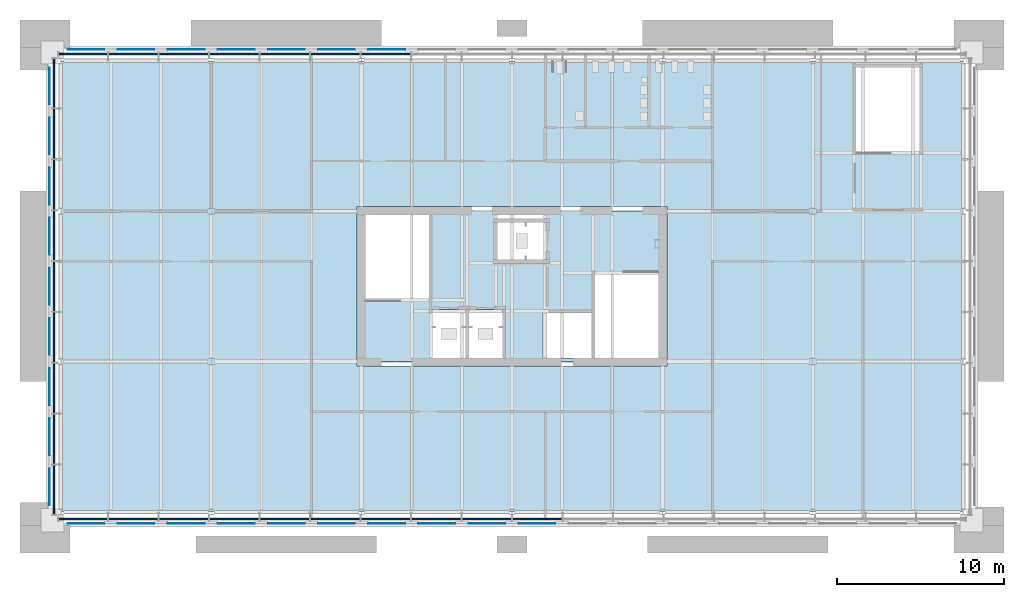
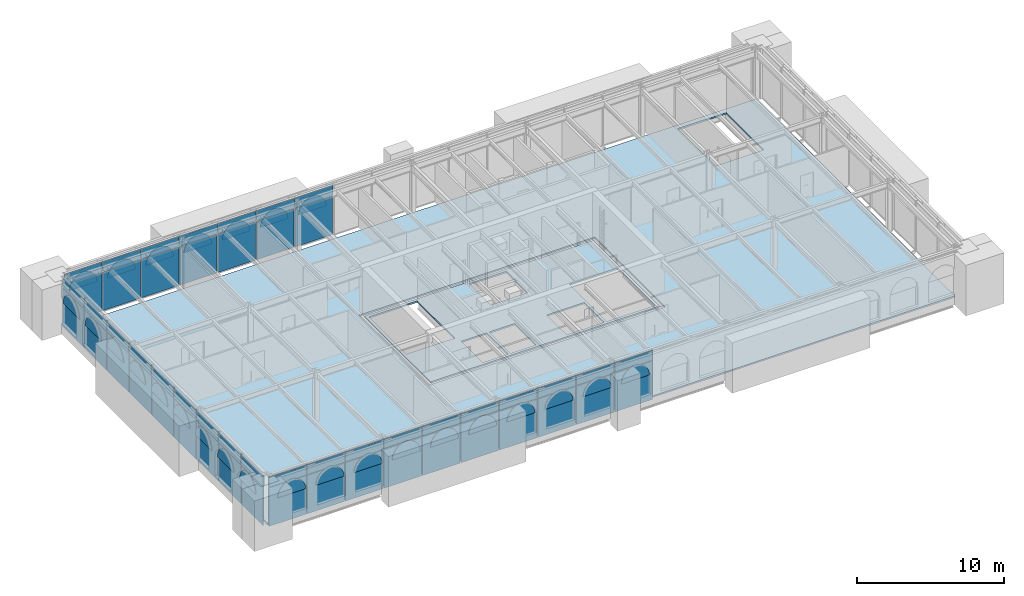
# One storey, part 10 of 24: 78 plates, 2 slabs, 3 elements without a shape of their own.
"""IFC4 building model written with IfcOpenShell, lengths in metres."""

from ifc_helpers import new_model, si_unit, direction, frame, origin, origin_2d, place, context, subcontext, project, spatial, polyline, rectangle, outline, extrude, material, layer, layer_set, type_object, element, aggregate, save


model = new_model("IFC4")

# Units and contexts
model_context = context("Model", 3, precision=1e-05, world=origin(), true_north=direction((0.0, 1.0)))
body_context = subcontext(model_context, "Body", "Model", "MODEL_VIEW")
ifc_project = project(units=[si_unit("LENGTHUNIT", "METRE"), si_unit("AREAUNIT", "SQUARE_METRE"), si_unit("VOLUMEUNIT", "CUBIC_METRE"), si_unit("PLANEANGLEUNIT", "RADIAN"), si_unit("MASSUNIT", "GRAM", prefix="KILO")], contexts=[model_context])

# Site, building, storey
site_placement = place(None, origin())
site = spatial("IfcSite", under=ifc_project, at=site_placement, CompositionType="ELEMENT")
building_placement = place(site_placement, origin())
building = spatial("IfcBuilding", under=site, at=building_placement, Name="Baradari Gate Terminus", CompositionType="ELEMENT")
storey_placement = place(building_placement, frame((0.0, 0.0, 32.699951171875)))
storey = spatial("IfcBuildingStorey", under=building, at=storey_placement, Name="L07", CompositionType="ELEMENT", Elevation=32.699951171875)

# Plates
ifc_material_1 = material(Name="Insulating glass unit", Category="glass")
ifc_layer_1 = layer(ifc_material_1, 0.0400390625)
ifc_layer_set_1 = layer_set([ifc_layer_1], Name="Insulating glass unit")
plate_type_1 = type_object("IfcPlateType", Name="Arch head glazing CP-AH 40", PredefinedType="SHEET", material=ifc_layer_set_1)
for number, where, z_axis, x_axis, name in (
    (1, (9.39990234375, 116.320068359375, 2.400146484375), (0.0, 0.0, 1.0), (1.0, 0.0, 0.0), "Arch head glazing CP-AH L07 S face 1"),
    (2, (12.39990234375, 116.320068359375, 2.400146484375), (0.0, 0.0, 1.0), (1.0, 0.0, 0.0), "Arch head glazing CP-AH L07 S face 2"),
    (3, (15.39990234375, 116.320068359375, 2.400146484375), (0.0, 0.0, 1.0), (1.0, 0.0, 0.0), "Arch head glazing CP-AH L07 S face 3"),
    (4, (18.39990234375, 116.320068359375, 2.400146484375), (0.0, 0.0, 1.0), (1.0, 0.0, 0.0), "Arch head glazing CP-AH L07 S face 4"),
    (5, (21.39990234375, 116.320068359375, 2.400146484375), (0.0, 0.0, 1.0), (1.0, 0.0, 0.0), "Arch head glazing CP-AH L07 S face 5"),
    (6, (24.39990234375, 116.320068359375, 2.400146484375), (0.0, 0.0, 1.0), (1.0, 0.0, 0.0), "Arch head glazing CP-AH L07 S face 6"),
    (7, (27.39990234375, 116.320068359375, 2.400146484375), (0.0, 0.0, 1.0), (1.0, 0.0, 0.0), "Arch head glazing CP-AH L07 S face 7"),
    (8, (30.39990234375, 116.320068359375, 2.400146484375), (0.0, 0.0, 1.0), (1.0, 0.0, 0.0), "Arch head glazing CP-AH L07 S face 8"),
    (9, (33.39990234375, 116.320068359375, 2.400146484375), (0.0, 0.0, 1.0), (1.0, 0.0, 0.0), "Arch head glazing CP-AH L07 S face 9"),
    (10, (36.39990234375, 116.320068359375, 2.400146484375), (0.0, 0.0, 1.0), (1.0, 0.0, 0.0), "Arch head glazing CP-AH L07 S face 10"),
    (11, (29.60009765625, 144.679931640625, 2.400146484375), (0.0, 0.0, 1.0), (-1.0, 0.0, 0.0), "Arch head glazing CP-AH L07 N face 12"),
    (12, (26.60009765625, 144.679931640625, 2.400146484375), (0.0, 0.0, 1.0), (-1.0, 0.0, 0.0), "Arch head glazing CP-AH L07 N face 13"),
    (13, (23.60009765625, 144.679931640625, 2.400146484375), (0.0, 0.0, 1.0), (-1.0, 0.0, 0.0), "Arch head glazing CP-AH L07 N face 14"),
    (14, (20.60009765625, 144.679931640625, 2.400146484375), (0.0, 0.0, 1.0), (-1.0, 0.0, 0.0), "Arch head glazing CP-AH L07 N face 15"),
    (15, (17.60009765625, 144.679931640625, 2.400146484375), (0.0, 0.0, 1.0), (-1.0, 0.0, 0.0), "Arch head glazing CP-AH L07 N face 16"),
    (16, (14.60009765625, 144.679931640625, 2.400146484375), (0.0, 0.0, 1.0), (-1.0, 0.0, 0.0), "Arch head glazing CP-AH L07 N face 17"),
    (17, (11.60009765625, 144.679931640625, 2.400146484375), (0.0, 0.0, 1.0), (-1.0, 0.0, 0.0), "Arch head glazing CP-AH L07 N face 18"),
    (18, (8.320068359375, 143.60009765625, 2.400146484375), (0.0, 0.0, 1.0), (0.0, -1.0, 0.0), "Arch head glazing CP-AH L07 W face 1"),
    (19, (8.320068359375, 140.60009765625, 2.400146484375), (0.0, 0.0, 1.0), (0.0, -1.0, 0.0), "Arch head glazing CP-AH L07 W face 2"),
    (20, (8.320068359375, 137.60009765625, 2.400146484375), (0.0, 0.0, 1.0), (0.0, -1.0, 0.0), "Arch head glazing CP-AH L07 W face 3"),
    (21, (8.320068359375, 134.60009765625, 2.400146484375), (0.0, 0.0, 1.0), (0.0, -1.0, 0.0), "Arch head glazing CP-AH L07 W face 4"),
    (22, (8.320068359375, 131.60009765625, 2.400146484375), (0.0, 0.0, 1.0), (0.0, -1.0, 0.0), "Arch head glazing CP-AH L07 W face 5"),
    (23, (8.320068359375, 128.60009765625, 2.400146484375), (0.0, 0.0, 1.0), (0.0, -1.0, 0.0), "Arch head glazing CP-AH L07 W face 6"),
    (24, (8.320068359375, 125.60009765625, 2.400146484375), (0.0, 0.0, 1.0), (0.0, -1.0, 0.0), "Arch head glazing CP-AH L07 W face 7"),
    (25, (8.320068359375, 122.60009765625, 2.400146484375), (0.0, 0.0, 1.0), (0.0, -1.0, 0.0), "Arch head glazing CP-AH L07 W face 8"),
    (26, (8.320068359375, 119.60009765625, 2.400146484375), (0.0, 0.0, 1.0), (0.0, -1.0, 0.0), "Arch head glazing CP-AH L07 W face 9"),
):
    element("IfcPlate", number, at=place(storey_placement, frame(where, z_axis=z_axis, x_axis=x_axis)), inside=storey, type_object=plate_type_1, Name=name, PredefinedType="SHEET", context=body_context, shape_type="SweptSolid", body=[
        extrude(outline(polyline([(0.0, 0.0), (2.199951171875, 0.0), (2.19091796875, 0.1484375), (2.163330078125, 0.294677734375), (2.1181640625, 0.4365234375), (2.0556640625, 0.57177734375), (1.97705078125, 0.697998046875), (1.88330078125, 0.81396484375), (1.776123046875, 0.917236328125), (1.6572265625, 1.00634765625), (1.52783203125, 1.080322265625), (1.390625, 1.1376953125), (1.247314453125, 1.177734375), (1.10009765625, 1.199951171875), (0.952880859375, 1.177734375), (0.809326171875, 1.1376953125), (0.672119140625, 1.080322265625), (0.54296875, 1.00634765625), (0.423828125, 0.917236328125), (0.316650390625, 0.81396484375), (0.222900390625, 0.697998046875), (0.144287109375, 0.57177734375), (0.08203125, 0.4365234375), (0.03662109375, 0.294677734375), (0.00927734375, 0.1484375), (0.0, 0.0)])), frame((0.0, 0.02001953125, 0.0), z_axis=(0.0, -1.0, 0.0), x_axis=(1.0, 0.0, 0.0)), (0.0, 0.0, 1.0), 0.0400390625),
    ])

# Slabs
ifc_material_2 = material(Name="Concrete C35/45", Category="concrete")
ifc_layer_2 = layer(ifc_material_2, 0.1298828125)
ifc_layer_set_2 = layer_set([ifc_layer_2], Name="Concrete C35/45")
slab_type = type_object("IfcSlabType", Name="Composite floor slab SL1 130", PredefinedType="FLOOR", material=ifc_layer_set_2)
slab_1_placement = place(storey_placement, frame((0.0, 0.0, -0.1298828125)))
element("IfcSlab", 27, at=slab_1_placement, inside=storey, type_object=slab_type, Name="Block floor", PredefinedType="FLOOR", context=body_context, shape_type="SweptSolid", body=[
    extrude(outline(polyline([(63.0, 117.0), (63.0, 144.0), (9.0, 144.0), (9.0, 117.0), (63.0, 117.0)]), holes=[polyline([(56.60009765625, 138.5), (60.39990234375, 138.5), (60.39990234375, 143.60009765625), (56.60009765625, 143.60009765625), (56.60009765625, 138.5)]), polyline([(26.72509765625, 125.72509765625), (45.27490234375, 125.72509765625), (45.27490234375, 126.22509765625), (45.27490234375, 134.77490234375), (45.27490234375, 135.27490234375), (26.72509765625, 135.27490234375), (26.72509765625, 134.77490234375), (26.72509765625, 126.22509765625), (26.72509765625, 125.72509765625)])]), origin(), (0.0, 0.0, 1.0), 0.1298828125),
])
slab_2_placement = place(storey_placement, frame((0.0, 0.0, -0.1298828125)))
element("IfcSlab", 28, at=slab_2_placement, inside=storey, type_object=slab_type, Name="Core floor CT", PredefinedType="FLOOR", context=body_context, shape_type="SweptSolid", body=[
    extrude(outline(polyline([(27.0, 135.0), (27.0, 126.0), (45.0, 126.0), (45.0, 135.0), (27.0, 135.0)]), holes=[polyline([(40.97509765625, 131.324951171875), (40.97509765625, 126.22509765625), (44.77490234375, 126.22509765625), (44.77490234375, 131.324951171875), (40.97509765625, 131.324951171875)]), polyline([(40.77490234375, 128.925048828125), (37.824951171875, 128.925048828125), (37.824951171875, 126.22509765625), (40.77490234375, 126.22509765625), (40.77490234375, 128.925048828125)]), polyline([(38.02490234375, 131.875), (38.02490234375, 134.77490234375), (35.125, 134.77490234375), (35.125, 131.875), (38.02490234375, 131.875)]), polyline([(35.425048828125, 129.125), (33.425048828125, 129.125), (33.425048828125, 126.22509765625), (35.425048828125, 126.22509765625), (35.425048828125, 129.125)]), polyline([(31.22509765625, 129.125), (31.22509765625, 126.22509765625), (33.22509765625, 126.22509765625), (33.22509765625, 129.125), (31.22509765625, 129.125)]), polyline([(27.22509765625, 129.675048828125), (31.02490234375, 129.675048828125), (31.02490234375, 134.77490234375), (27.22509765625, 134.77490234375), (27.22509765625, 129.675048828125)])]), origin(), (0.0, 0.0, 1.0), 0.1298828125),
])

# Curtain wall, plates
ifc_material_3 = material(Name="Aluminium 6063-T6", Category="aluminium")
curtain_wall_type = type_object("IfcCurtainWallType", Name="Curtain wall CW-12 block arcade floors, L06-L07", PredefinedType="NOTDEFINED", material=ifc_material_3)
curtain_wall_1_placement = place(storey_placement, origin())
curtain_wall_1 = element("IfcCurtainWall", 29, at=curtain_wall_1_placement, inside=storey, type_object=curtain_wall_type, Name="Curtain wall CW-12 Operations block S face L07", PredefinedType="NOTDEFINED")
ifc_material_4 = material(Name="Insulating glass unit", Category="glass")
ifc_layer_3 = layer(ifc_material_4, 0.06005859375)
ifc_layer_set_3 = layer_set([ifc_layer_3], Name="Insulating glass unit")
plate_type_2 = type_object("IfcPlateType", Name="Curtain wall glazing unit CP-12 60", PredefinedType="CURTAIN_PANEL", material=ifc_layer_set_3)
plate_1_placement = place(storey_placement, frame((10.327392578125, 116.592529296875, 0.06494140625), z_axis=(0.0, 0.0, 1.0), x_axis=(1.0, 0.0, 0.0)))
plate_1 = element("IfcPlate", 30, at=plate_1_placement, type_object=plate_type_2, Name="CW-12 panel 1.1", PredefinedType="CURTAIN_PANEL", context=body_context, shape_type="SweptSolid", body=[
    extrude(rectangle(XDim=2.9248046875, YDim=0.06005859375, at=origin_2d()), origin(), (0.0, 0.0, 1.0), 3.202392578125),
])
plate_2_placement = place(storey_placement, frame((13.333251953125, 116.592529296875, 0.06494140625), z_axis=(0.0, 0.0, 1.0), x_axis=(1.0, 0.0, 0.0)))
plate_2 = element("IfcPlate", 31, at=plate_2_placement, type_object=plate_type_2, Name="CW-12 panel 2.1", PredefinedType="CURTAIN_PANEL", context=body_context, shape_type="SweptSolid", body=[
    extrude(rectangle(XDim=2.957275390625, YDim=0.06005859375, at=origin_2d()), origin(), (0.0, 0.0, 1.0), 3.202392578125),
])
plate_3_placement = place(storey_placement, frame((16.35546875, 116.592529296875, 0.06494140625), z_axis=(0.0, 0.0, 1.0), x_axis=(1.0, 0.0, 0.0)))
plate_3 = element("IfcPlate", 32, at=plate_3_placement, type_object=plate_type_2, Name="CW-12 panel 3.1", PredefinedType="CURTAIN_PANEL", context=body_context, shape_type="SweptSolid", body=[
    extrude(rectangle(XDim=2.957275390625, YDim=0.06005859375, at=origin_2d()), origin(), (0.0, 0.0, 1.0), 3.202392578125),
])
plate_4_placement = place(storey_placement, frame((19.377685546875, 116.592529296875, 0.06494140625), z_axis=(0.0, 0.0, 1.0), x_axis=(1.0, 0.0, 0.0)))
plate_4 = element("IfcPlate", 33, at=plate_4_placement, type_object=plate_type_2, Name="CW-12 panel 4.1", PredefinedType="CURTAIN_PANEL", context=body_context, shape_type="SweptSolid", body=[
    extrude(rectangle(XDim=2.957275390625, YDim=0.06005859375, at=origin_2d()), origin(), (0.0, 0.0, 1.0), 3.202392578125),
])
plate_5_placement = place(storey_placement, frame((22.39990234375, 116.592529296875, 0.06494140625), z_axis=(0.0, 0.0, 1.0), x_axis=(1.0, 0.0, 0.0)))
plate_5 = element("IfcPlate", 34, at=plate_5_placement, type_object=plate_type_2, Name="CW-12 panel 5.1", PredefinedType="CURTAIN_PANEL", context=body_context, shape_type="SweptSolid", body=[
    extrude(rectangle(XDim=2.957275390625, YDim=0.06005859375, at=origin_2d()), origin(), (0.0, 0.0, 1.0), 3.202392578125),
])
plate_6_placement = place(storey_placement, frame((25.422119140625, 116.592529296875, 0.06494140625), z_axis=(0.0, 0.0, 1.0), x_axis=(1.0, 0.0, 0.0)))
plate_6 = element("IfcPlate", 35, at=plate_6_placement, type_object=plate_type_2, Name="CW-12 panel 6.1", PredefinedType="CURTAIN_PANEL", context=body_context, shape_type="SweptSolid", body=[
    extrude(rectangle(XDim=2.957275390625, YDim=0.06005859375, at=origin_2d()), origin(), (0.0, 0.0, 1.0), 3.202392578125),
])
plate_7_placement = place(storey_placement, frame((28.4443359375, 116.592529296875, 0.06494140625), z_axis=(0.0, 0.0, 1.0), x_axis=(1.0, 0.0, 0.0)))
plate_7 = element("IfcPlate", 36, at=plate_7_placement, type_object=plate_type_2, Name="CW-12 panel 7.1", PredefinedType="CURTAIN_PANEL", context=body_context, shape_type="SweptSolid", body=[
    extrude(rectangle(XDim=2.957275390625, YDim=0.06005859375, at=origin_2d()), origin(), (0.0, 0.0, 1.0), 3.202392578125),
])
plate_8_placement = place(storey_placement, frame((31.466552734375, 116.592529296875, 0.06494140625), z_axis=(0.0, 0.0, 1.0), x_axis=(1.0, 0.0, 0.0)))
plate_8 = element("IfcPlate", 37, at=plate_8_placement, type_object=plate_type_2, Name="CW-12 panel 8.1", PredefinedType="CURTAIN_PANEL", context=body_context, shape_type="SweptSolid", body=[
    extrude(rectangle(XDim=2.957275390625, YDim=0.06005859375, at=origin_2d()), origin(), (0.0, 0.0, 1.0), 3.202392578125),
])
plate_9_placement = place(storey_placement, frame((34.48876953125, 116.592529296875, 0.06494140625), z_axis=(0.0, 0.0, 1.0), x_axis=(1.0, 0.0, 0.0)))
plate_9 = element("IfcPlate", 38, at=plate_9_placement, type_object=plate_type_2, Name="CW-12 panel 9.1", PredefinedType="CURTAIN_PANEL", context=body_context, shape_type="SweptSolid", body=[
    extrude(rectangle(XDim=2.957275390625, YDim=0.06005859375, at=origin_2d()), origin(), (0.0, 0.0, 1.0), 3.202392578125),
])
plate_10_placement = place(storey_placement, frame((37.51123046875, 116.592529296875, 0.06494140625), z_axis=(0.0, 0.0, 1.0), x_axis=(1.0, 0.0, 0.0)))
plate_10 = element("IfcPlate", 39, at=plate_10_placement, type_object=plate_type_2, Name="CW-12 panel 10.1", PredefinedType="CURTAIN_PANEL", context=body_context, shape_type="SweptSolid", body=[
    extrude(rectangle(XDim=2.957275390625, YDim=0.06005859375, at=origin_2d()), origin(), (0.0, 0.0, 1.0), 3.202392578125),
])

curtain_wall_2_placement = place(storey_placement, origin())
curtain_wall_2 = element("IfcCurtainWall", 40, at=curtain_wall_2_placement, inside=storey, type_object=curtain_wall_type, Name="Curtain wall CW-12 Operations block N face L07", PredefinedType="NOTDEFINED")
plate_11_placement = place(storey_placement, frame((28.4443359375, 144.407470703125, 0.06494140625), z_axis=(0.0, 0.0, 1.0), x_axis=(-1.0, 0.0, 0.0)))
plate_11 = element("IfcPlate", 41, at=plate_11_placement, type_object=plate_type_2, Name="CW-12 panel 12.1", PredefinedType="CURTAIN_PANEL", context=body_context, shape_type="SweptSolid", body=[
    extrude(rectangle(XDim=2.957275390625, YDim=0.06005859375, at=origin_2d()), origin(), (0.0, 0.0, 1.0), 3.202392578125),
])
plate_12_placement = place(storey_placement, frame((25.422119140625, 144.407470703125, 0.06494140625), z_axis=(0.0, 0.0, 1.0), x_axis=(-1.0, 0.0, 0.0)))
plate_12 = element("IfcPlate", 42, at=plate_12_placement, type_object=plate_type_2, Name="CW-12 panel 13.1", PredefinedType="CURTAIN_PANEL", context=body_context, shape_type="SweptSolid", body=[
    extrude(rectangle(XDim=2.957275390625, YDim=0.06005859375, at=origin_2d()), origin(), (0.0, 0.0, 1.0), 3.202392578125),
])
plate_13_placement = place(storey_placement, frame((22.39990234375, 144.407470703125, 0.06494140625), z_axis=(0.0, 0.0, 1.0), x_axis=(-1.0, 0.0, 0.0)))
plate_13 = element("IfcPlate", 43, at=plate_13_placement, type_object=plate_type_2, Name="CW-12 panel 14.1", PredefinedType="CURTAIN_PANEL", context=body_context, shape_type="SweptSolid", body=[
    extrude(rectangle(XDim=2.957275390625, YDim=0.06005859375, at=origin_2d()), origin(), (0.0, 0.0, 1.0), 3.202392578125),
])
plate_14_placement = place(storey_placement, frame((19.377685546875, 144.407470703125, 0.06494140625), z_axis=(0.0, 0.0, 1.0), x_axis=(-1.0, 0.0, 0.0)))
plate_14 = element("IfcPlate", 44, at=plate_14_placement, type_object=plate_type_2, Name="CW-12 panel 15.1", PredefinedType="CURTAIN_PANEL", context=body_context, shape_type="SweptSolid", body=[
    extrude(rectangle(XDim=2.957275390625, YDim=0.06005859375, at=origin_2d()), origin(), (0.0, 0.0, 1.0), 3.202392578125),
])
plate_15_placement = place(storey_placement, frame((16.35546875, 144.407470703125, 0.06494140625), z_axis=(0.0, 0.0, 1.0), x_axis=(-1.0, 0.0, 0.0)))
plate_15 = element("IfcPlate", 45, at=plate_15_placement, type_object=plate_type_2, Name="CW-12 panel 16.1", PredefinedType="CURTAIN_PANEL", context=body_context, shape_type="SweptSolid", body=[
    extrude(rectangle(XDim=2.957275390625, YDim=0.06005859375, at=origin_2d()), origin(), (0.0, 0.0, 1.0), 3.202392578125),
])
plate_16_placement = place(storey_placement, frame((13.333251953125, 144.407470703125, 0.06494140625), z_axis=(0.0, 0.0, 1.0), x_axis=(-1.0, 0.0, 0.0)))
plate_16 = element("IfcPlate", 46, at=plate_16_placement, type_object=plate_type_2, Name="CW-12 panel 17.1", PredefinedType="CURTAIN_PANEL", context=body_context, shape_type="SweptSolid", body=[
    extrude(rectangle(XDim=2.957275390625, YDim=0.06005859375, at=origin_2d()), origin(), (0.0, 0.0, 1.0), 3.202392578125),
])
plate_17_placement = place(storey_placement, frame((10.327392578125, 144.407470703125, 0.06494140625), z_axis=(0.0, 0.0, 1.0), x_axis=(-1.0, 0.0, 0.0)))
plate_17 = element("IfcPlate", 47, at=plate_17_placement, type_object=plate_type_2, Name="CW-12 panel 18.1", PredefinedType="CURTAIN_PANEL", context=body_context, shape_type="SweptSolid", body=[
    extrude(rectangle(XDim=2.9248046875, YDim=0.06005859375, at=origin_2d()), origin(), (0.0, 0.0, 1.0), 3.202392578125),
])

curtain_wall_3_placement = place(storey_placement, origin())
curtain_wall_3 = element("IfcCurtainWall", 48, at=curtain_wall_3_placement, inside=storey, type_object=curtain_wall_type, Name="Curtain wall CW-12 Operations block W face L07", PredefinedType="NOTDEFINED")
plate_18_placement = place(storey_placement, frame((8.592529296875, 142.66162109375, 0.06494140625), z_axis=(0.0, 0.0, 1.0), x_axis=(0.0, -1.0, 0.0)))
plate_18 = element("IfcPlate", 49, at=plate_18_placement, type_object=plate_type_2, Name="CW-12 panel 1.1", PredefinedType="CURTAIN_PANEL", context=body_context, shape_type="SweptSolid", body=[
    extrude(rectangle(XDim=2.947021484375, YDim=0.06005859375, at=origin_2d()), origin(), (0.0, 0.0, 1.0), 3.202392578125),
])
plate_19_placement = place(storey_placement, frame((8.592529296875, 139.63330078125, 0.06494140625), z_axis=(0.0, 0.0, 1.0), x_axis=(0.0, -1.0, 0.0)))
plate_19 = element("IfcPlate", 50, at=plate_19_placement, type_object=plate_type_2, Name="CW-12 panel 2.1", PredefinedType="CURTAIN_PANEL", context=body_context, shape_type="SweptSolid", body=[
    extrude(rectangle(XDim=2.9794921875, YDim=0.06005859375, at=origin_2d()), origin(), (0.0, 0.0, 1.0), 3.202392578125),
])
plate_20_placement = place(storey_placement, frame((8.592529296875, 136.5888671875, 0.06494140625), z_axis=(0.0, 0.0, 1.0), x_axis=(0.0, -1.0, 0.0)))
plate_20 = element("IfcPlate", 51, at=plate_20_placement, type_object=plate_type_2, Name="CW-12 panel 3.1", PredefinedType="CURTAIN_PANEL", context=body_context, shape_type="SweptSolid", body=[
    extrude(rectangle(XDim=2.9794921875, YDim=0.06005859375, at=origin_2d()), origin(), (0.0, 0.0, 1.0), 3.202392578125),
])
plate_21_placement = place(storey_placement, frame((8.592529296875, 133.54443359375, 0.06494140625), z_axis=(0.0, 0.0, 1.0), x_axis=(0.0, -1.0, 0.0)))
plate_21 = element("IfcPlate", 52, at=plate_21_placement, type_object=plate_type_2, Name="CW-12 panel 4.1", PredefinedType="CURTAIN_PANEL", context=body_context, shape_type="SweptSolid", body=[
    extrude(rectangle(XDim=2.9794921875, YDim=0.06005859375, at=origin_2d()), origin(), (0.0, 0.0, 1.0), 3.202392578125),
])
plate_22_placement = place(storey_placement, frame((8.592529296875, 130.5, 0.06494140625), z_axis=(0.0, 0.0, 1.0), x_axis=(0.0, -1.0, 0.0)))
plate_22 = element("IfcPlate", 53, at=plate_22_placement, type_object=plate_type_2, Name="CW-12 panel 5.1", PredefinedType="CURTAIN_PANEL", context=body_context, shape_type="SweptSolid", body=[
    extrude(rectangle(XDim=2.9794921875, YDim=0.06005859375, at=origin_2d()), origin(), (0.0, 0.0, 1.0), 3.202392578125),
])
plate_23_placement = place(storey_placement, frame((8.592529296875, 127.45556640625, 0.06494140625), z_axis=(0.0, 0.0, 1.0), x_axis=(0.0, -1.0, 0.0)))
plate_23 = element("IfcPlate", 54, at=plate_23_placement, type_object=plate_type_2, Name="CW-12 panel 6.1", PredefinedType="CURTAIN_PANEL", context=body_context, shape_type="SweptSolid", body=[
    extrude(rectangle(XDim=2.9794921875, YDim=0.06005859375, at=origin_2d()), origin(), (0.0, 0.0, 1.0), 3.202392578125),
])
plate_24_placement = place(storey_placement, frame((8.592529296875, 124.4111328125, 0.06494140625), z_axis=(0.0, 0.0, 1.0), x_axis=(0.0, -1.0, 0.0)))
plate_24 = element("IfcPlate", 55, at=plate_24_placement, type_object=plate_type_2, Name="CW-12 panel 7.1", PredefinedType="CURTAIN_PANEL", context=body_context, shape_type="SweptSolid", body=[
    extrude(rectangle(XDim=2.9794921875, YDim=0.06005859375, at=origin_2d()), origin(), (0.0, 0.0, 1.0), 3.202392578125),
])
plate_25_placement = place(storey_placement, frame((8.592529296875, 121.36669921875, 0.06494140625), z_axis=(0.0, 0.0, 1.0), x_axis=(0.0, -1.0, 0.0)))
plate_25 = element("IfcPlate", 56, at=plate_25_placement, type_object=plate_type_2, Name="CW-12 panel 8.1", PredefinedType="CURTAIN_PANEL", context=body_context, shape_type="SweptSolid", body=[
    extrude(rectangle(XDim=2.9794921875, YDim=0.06005859375, at=origin_2d()), origin(), (0.0, 0.0, 1.0), 3.202392578125),
])
plate_26_placement = place(storey_placement, frame((8.592529296875, 118.33837890625, 0.06494140625), z_axis=(0.0, 0.0, 1.0), x_axis=(0.0, -1.0, 0.0)))
plate_26 = element("IfcPlate", 57, at=plate_26_placement, type_object=plate_type_2, Name="CW-12 panel 9.1", PredefinedType="CURTAIN_PANEL", context=body_context, shape_type="SweptSolid", body=[
    extrude(rectangle(XDim=2.947021484375, YDim=0.06005859375, at=origin_2d()), origin(), (0.0, 0.0, 1.0), 3.202392578125),
])

# Plate
ifc_material_5 = material(Name="Back-painted glass", Category="glass")
ifc_layer_4 = layer(ifc_material_5, 0.090087890625)
ifc_layer_set_4 = layer_set([ifc_layer_4], Name="Back-painted glass")
plate_type_3 = type_object("IfcPlateType", Name="Curtain wall spandrel panel CP-S12 90", PredefinedType="CURTAIN_PANEL", material=ifc_layer_set_4)
plate_27_placement = place(storey_placement, frame((10.327392578125, 116.592529296875, 3.33251953125), z_axis=(0.0, 0.0, 1.0), x_axis=(1.0, 0.0, 0.0)))
plate_27 = element("IfcPlate", 58, at=plate_27_placement, type_object=plate_type_3, Name="CW-12 spandrel panel 1.2", PredefinedType="CURTAIN_PANEL", context=body_context, shape_type="SweptSolid", body=[
    extrude(rectangle(XDim=2.9248046875, YDim=0.090087890625, at=origin_2d()), origin(), (0.0, 0.0, 1.0), 0.802490234375),
])

plate_28_placement = place(storey_placement, frame((13.333251953125, 116.592529296875, 3.33251953125), z_axis=(0.0, 0.0, 1.0), x_axis=(1.0, 0.0, 0.0)))
plate_28 = element("IfcPlate", 59, at=plate_28_placement, type_object=plate_type_3, Name="CW-12 spandrel panel 2.2", PredefinedType="CURTAIN_PANEL", context=body_context, shape_type="SweptSolid", body=[
    extrude(rectangle(XDim=2.957275390625, YDim=0.090087890625, at=origin_2d()), origin(), (0.0, 0.0, 1.0), 0.802490234375),
])

plate_29_placement = place(storey_placement, frame((16.35546875, 116.592529296875, 3.33251953125), z_axis=(0.0, 0.0, 1.0), x_axis=(1.0, 0.0, 0.0)))
plate_29 = element("IfcPlate", 60, at=plate_29_placement, type_object=plate_type_3, Name="CW-12 spandrel panel 3.2", PredefinedType="CURTAIN_PANEL", context=body_context, shape_type="SweptSolid", body=[
    extrude(rectangle(XDim=2.957275390625, YDim=0.090087890625, at=origin_2d()), origin(), (0.0, 0.0, 1.0), 0.802490234375),
])

plate_30_placement = place(storey_placement, frame((19.377685546875, 116.592529296875, 3.33251953125), z_axis=(0.0, 0.0, 1.0), x_axis=(1.0, 0.0, 0.0)))
plate_30 = element("IfcPlate", 61, at=plate_30_placement, type_object=plate_type_3, Name="CW-12 spandrel panel 4.2", PredefinedType="CURTAIN_PANEL", context=body_context, shape_type="SweptSolid", body=[
    extrude(rectangle(XDim=2.957275390625, YDim=0.090087890625, at=origin_2d()), origin(), (0.0, 0.0, 1.0), 0.802490234375),
])

plate_31_placement = place(storey_placement, frame((22.39990234375, 116.592529296875, 3.33251953125), z_axis=(0.0, 0.0, 1.0), x_axis=(1.0, 0.0, 0.0)))
plate_31 = element("IfcPlate", 62, at=plate_31_placement, type_object=plate_type_3, Name="CW-12 spandrel panel 5.2", PredefinedType="CURTAIN_PANEL", context=body_context, shape_type="SweptSolid", body=[
    extrude(rectangle(XDim=2.957275390625, YDim=0.090087890625, at=origin_2d()), origin(), (0.0, 0.0, 1.0), 0.802490234375),
])

plate_32_placement = place(storey_placement, frame((25.422119140625, 116.592529296875, 3.33251953125), z_axis=(0.0, 0.0, 1.0), x_axis=(1.0, 0.0, 0.0)))
plate_32 = element("IfcPlate", 63, at=plate_32_placement, type_object=plate_type_3, Name="CW-12 spandrel panel 6.2", PredefinedType="CURTAIN_PANEL", context=body_context, shape_type="SweptSolid", body=[
    extrude(rectangle(XDim=2.957275390625, YDim=0.090087890625, at=origin_2d()), origin(), (0.0, 0.0, 1.0), 0.802490234375),
])

plate_33_placement = place(storey_placement, frame((28.4443359375, 116.592529296875, 3.33251953125), z_axis=(0.0, 0.0, 1.0), x_axis=(1.0, 0.0, 0.0)))
plate_33 = element("IfcPlate", 64, at=plate_33_placement, type_object=plate_type_3, Name="CW-12 spandrel panel 7.2", PredefinedType="CURTAIN_PANEL", context=body_context, shape_type="SweptSolid", body=[
    extrude(rectangle(XDim=2.957275390625, YDim=0.090087890625, at=origin_2d()), origin(), (0.0, 0.0, 1.0), 0.802490234375),
])

plate_34_placement = place(storey_placement, frame((31.466552734375, 116.592529296875, 3.33251953125), z_axis=(0.0, 0.0, 1.0), x_axis=(1.0, 0.0, 0.0)))
plate_34 = element("IfcPlate", 65, at=plate_34_placement, type_object=plate_type_3, Name="CW-12 spandrel panel 8.2", PredefinedType="CURTAIN_PANEL", context=body_context, shape_type="SweptSolid", body=[
    extrude(rectangle(XDim=2.957275390625, YDim=0.090087890625, at=origin_2d()), origin(), (0.0, 0.0, 1.0), 0.802490234375),
])

plate_35_placement = place(storey_placement, frame((34.48876953125, 116.592529296875, 3.33251953125), z_axis=(0.0, 0.0, 1.0), x_axis=(1.0, 0.0, 0.0)))
plate_35 = element("IfcPlate", 66, at=plate_35_placement, type_object=plate_type_3, Name="CW-12 spandrel panel 9.2", PredefinedType="CURTAIN_PANEL", context=body_context, shape_type="SweptSolid", body=[
    extrude(rectangle(XDim=2.957275390625, YDim=0.090087890625, at=origin_2d()), origin(), (0.0, 0.0, 1.0), 0.802490234375),
])

plate_36_placement = place(storey_placement, frame((37.51123046875, 116.592529296875, 3.33251953125), z_axis=(0.0, 0.0, 1.0), x_axis=(1.0, 0.0, 0.0)))
plate_36 = element("IfcPlate", 67, at=plate_36_placement, type_object=plate_type_3, Name="CW-12 spandrel panel 10.2", PredefinedType="CURTAIN_PANEL", context=body_context, shape_type="SweptSolid", body=[
    extrude(rectangle(XDim=2.957275390625, YDim=0.090087890625, at=origin_2d()), origin(), (0.0, 0.0, 1.0), 0.802490234375),
])

aggregate(curtain_wall_1, [plate_1, plate_27, plate_2, plate_28, plate_3, plate_29, plate_4, plate_30, plate_5, plate_31, plate_6, plate_32, plate_7, plate_33, plate_8, plate_34, plate_9, plate_35, plate_10, plate_36])

plate_37_placement = place(storey_placement, frame((28.4443359375, 144.407470703125, 3.33251953125), z_axis=(0.0, 0.0, 1.0), x_axis=(-1.0, 0.0, 0.0)))
plate_37 = element("IfcPlate", 68, at=plate_37_placement, type_object=plate_type_3, Name="CW-12 spandrel panel 12.2", PredefinedType="CURTAIN_PANEL", context=body_context, shape_type="SweptSolid", body=[
    extrude(rectangle(XDim=2.957275390625, YDim=0.090087890625, at=origin_2d()), origin(), (0.0, 0.0, 1.0), 0.802490234375),
])

plate_38_placement = place(storey_placement, frame((25.422119140625, 144.407470703125, 3.33251953125), z_axis=(0.0, 0.0, 1.0), x_axis=(-1.0, 0.0, 0.0)))
plate_38 = element("IfcPlate", 69, at=plate_38_placement, type_object=plate_type_3, Name="CW-12 spandrel panel 13.2", PredefinedType="CURTAIN_PANEL", context=body_context, shape_type="SweptSolid", body=[
    extrude(rectangle(XDim=2.957275390625, YDim=0.090087890625, at=origin_2d()), origin(), (0.0, 0.0, 1.0), 0.802490234375),
])

plate_39_placement = place(storey_placement, frame((22.39990234375, 144.407470703125, 3.33251953125), z_axis=(0.0, 0.0, 1.0), x_axis=(-1.0, 0.0, 0.0)))
plate_39 = element("IfcPlate", 70, at=plate_39_placement, type_object=plate_type_3, Name="CW-12 spandrel panel 14.2", PredefinedType="CURTAIN_PANEL", context=body_context, shape_type="SweptSolid", body=[
    extrude(rectangle(XDim=2.957275390625, YDim=0.090087890625, at=origin_2d()), origin(), (0.0, 0.0, 1.0), 0.802490234375),
])

plate_40_placement = place(storey_placement, frame((19.377685546875, 144.407470703125, 3.33251953125), z_axis=(0.0, 0.0, 1.0), x_axis=(-1.0, 0.0, 0.0)))
plate_40 = element("IfcPlate", 71, at=plate_40_placement, type_object=plate_type_3, Name="CW-12 spandrel panel 15.2", PredefinedType="CURTAIN_PANEL", context=body_context, shape_type="SweptSolid", body=[
    extrude(rectangle(XDim=2.957275390625, YDim=0.090087890625, at=origin_2d()), origin(), (0.0, 0.0, 1.0), 0.802490234375),
])

plate_41_placement = place(storey_placement, frame((16.35546875, 144.407470703125, 3.33251953125), z_axis=(0.0, 0.0, 1.0), x_axis=(-1.0, 0.0, 0.0)))
plate_41 = element("IfcPlate", 72, at=plate_41_placement, type_object=plate_type_3, Name="CW-12 spandrel panel 16.2", PredefinedType="CURTAIN_PANEL", context=body_context, shape_type="SweptSolid", body=[
    extrude(rectangle(XDim=2.957275390625, YDim=0.090087890625, at=origin_2d()), origin(), (0.0, 0.0, 1.0), 0.802490234375),
])

plate_42_placement = place(storey_placement, frame((13.333251953125, 144.407470703125, 3.33251953125), z_axis=(0.0, 0.0, 1.0), x_axis=(-1.0, 0.0, 0.0)))
plate_42 = element("IfcPlate", 73, at=plate_42_placement, type_object=plate_type_3, Name="CW-12 spandrel panel 17.2", PredefinedType="CURTAIN_PANEL", context=body_context, shape_type="SweptSolid", body=[
    extrude(rectangle(XDim=2.957275390625, YDim=0.090087890625, at=origin_2d()), origin(), (0.0, 0.0, 1.0), 0.802490234375),
])

plate_43_placement = place(storey_placement, frame((10.327392578125, 144.407470703125, 3.33251953125), z_axis=(0.0, 0.0, 1.0), x_axis=(-1.0, 0.0, 0.0)))
plate_43 = element("IfcPlate", 74, at=plate_43_placement, type_object=plate_type_3, Name="CW-12 spandrel panel 18.2", PredefinedType="CURTAIN_PANEL", context=body_context, shape_type="SweptSolid", body=[
    extrude(rectangle(XDim=2.9248046875, YDim=0.090087890625, at=origin_2d()), origin(), (0.0, 0.0, 1.0), 0.802490234375),
])

aggregate(curtain_wall_2, [plate_11, plate_37, plate_12, plate_38, plate_13, plate_39, plate_14, plate_40, plate_15, plate_41, plate_16, plate_42, plate_17, plate_43])

plate_44_placement = place(storey_placement, frame((8.592529296875, 142.66162109375, 3.33251953125), z_axis=(0.0, 0.0, 1.0), x_axis=(0.0, -1.0, 0.0)))
plate_44 = element("IfcPlate", 75, at=plate_44_placement, type_object=plate_type_3, Name="CW-12 spandrel panel 1.2", PredefinedType="CURTAIN_PANEL", context=body_context, shape_type="SweptSolid", body=[
    extrude(rectangle(XDim=2.947021484375, YDim=0.090087890625, at=origin_2d()), origin(), (0.0, 0.0, 1.0), 0.802490234375),
])

plate_45_placement = place(storey_placement, frame((8.592529296875, 139.63330078125, 3.33251953125), z_axis=(0.0, 0.0, 1.0), x_axis=(0.0, -1.0, 0.0)))
plate_45 = element("IfcPlate", 76, at=plate_45_placement, type_object=plate_type_3, Name="CW-12 spandrel panel 2.2", PredefinedType="CURTAIN_PANEL", context=body_context, shape_type="SweptSolid", body=[
    extrude(rectangle(XDim=2.9794921875, YDim=0.090087890625, at=origin_2d()), origin(), (0.0, 0.0, 1.0), 0.802490234375),
])

plate_46_placement = place(storey_placement, frame((8.592529296875, 136.5888671875, 3.33251953125), z_axis=(0.0, 0.0, 1.0), x_axis=(0.0, -1.0, 0.0)))
plate_46 = element("IfcPlate", 77, at=plate_46_placement, type_object=plate_type_3, Name="CW-12 spandrel panel 3.2", PredefinedType="CURTAIN_PANEL", context=body_context, shape_type="SweptSolid", body=[
    extrude(rectangle(XDim=2.9794921875, YDim=0.090087890625, at=origin_2d()), origin(), (0.0, 0.0, 1.0), 0.802490234375),
])

plate_47_placement = place(storey_placement, frame((8.592529296875, 133.54443359375, 3.33251953125), z_axis=(0.0, 0.0, 1.0), x_axis=(0.0, -1.0, 0.0)))
plate_47 = element("IfcPlate", 78, at=plate_47_placement, type_object=plate_type_3, Name="CW-12 spandrel panel 4.2", PredefinedType="CURTAIN_PANEL", context=body_context, shape_type="SweptSolid", body=[
    extrude(rectangle(XDim=2.9794921875, YDim=0.090087890625, at=origin_2d()), origin(), (0.0, 0.0, 1.0), 0.802490234375),
])

plate_48_placement = place(storey_placement, frame((8.592529296875, 130.5, 3.33251953125), z_axis=(0.0, 0.0, 1.0), x_axis=(0.0, -1.0, 0.0)))
plate_48 = element("IfcPlate", 79, at=plate_48_placement, type_object=plate_type_3, Name="CW-12 spandrel panel 5.2", PredefinedType="CURTAIN_PANEL", context=body_context, shape_type="SweptSolid", body=[
    extrude(rectangle(XDim=2.9794921875, YDim=0.090087890625, at=origin_2d()), origin(), (0.0, 0.0, 1.0), 0.802490234375),
])

plate_49_placement = place(storey_placement, frame((8.592529296875, 127.45556640625, 3.33251953125), z_axis=(0.0, 0.0, 1.0), x_axis=(0.0, -1.0, 0.0)))
plate_49 = element("IfcPlate", 80, at=plate_49_placement, type_object=plate_type_3, Name="CW-12 spandrel panel 6.2", PredefinedType="CURTAIN_PANEL", context=body_context, shape_type="SweptSolid", body=[
    extrude(rectangle(XDim=2.9794921875, YDim=0.090087890625, at=origin_2d()), origin(), (0.0, 0.0, 1.0), 0.802490234375),
])

plate_50_placement = place(storey_placement, frame((8.592529296875, 124.4111328125, 3.33251953125), z_axis=(0.0, 0.0, 1.0), x_axis=(0.0, -1.0, 0.0)))
plate_50 = element("IfcPlate", 81, at=plate_50_placement, type_object=plate_type_3, Name="CW-12 spandrel panel 7.2", PredefinedType="CURTAIN_PANEL", context=body_context, shape_type="SweptSolid", body=[
    extrude(rectangle(XDim=2.9794921875, YDim=0.090087890625, at=origin_2d()), origin(), (0.0, 0.0, 1.0), 0.802490234375),
])

plate_51_placement = place(storey_placement, frame((8.592529296875, 121.36669921875, 3.33251953125), z_axis=(0.0, 0.0, 1.0), x_axis=(0.0, -1.0, 0.0)))
plate_51 = element("IfcPlate", 82, at=plate_51_placement, type_object=plate_type_3, Name="CW-12 spandrel panel 8.2", PredefinedType="CURTAIN_PANEL", context=body_context, shape_type="SweptSolid", body=[
    extrude(rectangle(XDim=2.9794921875, YDim=0.090087890625, at=origin_2d()), origin(), (0.0, 0.0, 1.0), 0.802490234375),
])

plate_52_placement = place(storey_placement, frame((8.592529296875, 118.33837890625, 3.33251953125), z_axis=(0.0, 0.0, 1.0), x_axis=(0.0, -1.0, 0.0)))
plate_52 = element("IfcPlate", 83, at=plate_52_placement, type_object=plate_type_3, Name="CW-12 spandrel panel 9.2", PredefinedType="CURTAIN_PANEL", context=body_context, shape_type="SweptSolid", body=[
    extrude(rectangle(XDim=2.947021484375, YDim=0.090087890625, at=origin_2d()), origin(), (0.0, 0.0, 1.0), 0.802490234375),
])

aggregate(curtain_wall_3, [plate_18, plate_44, plate_19, plate_45, plate_20, plate_46, plate_21, plate_47, plate_22, plate_48, plate_23, plate_49, plate_24, plate_50, plate_25, plate_51, plate_26, plate_52])

save(model, "model.ifc")
